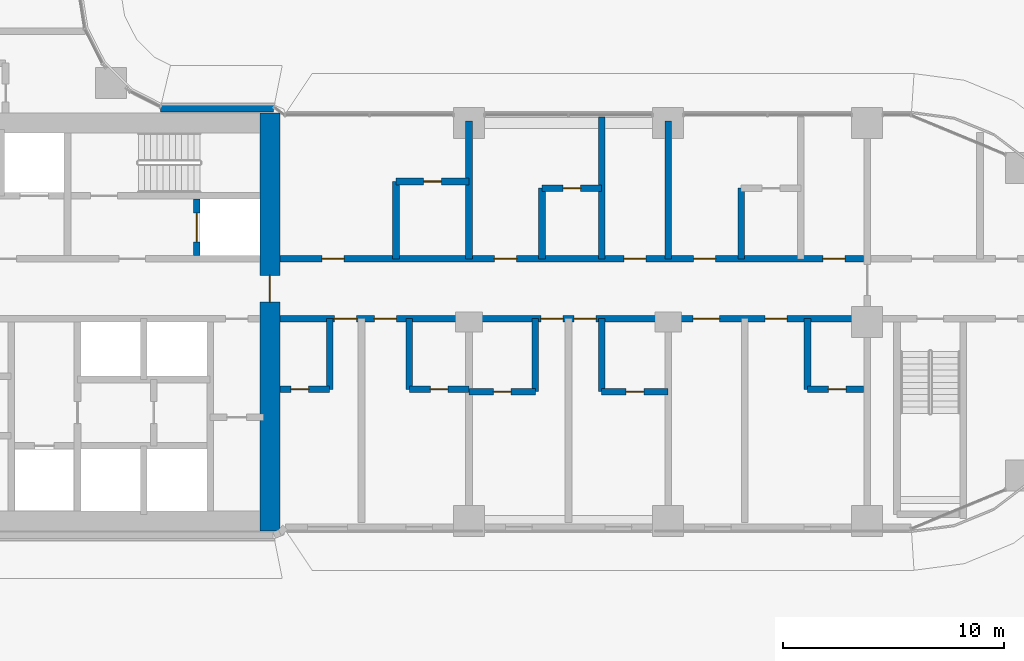
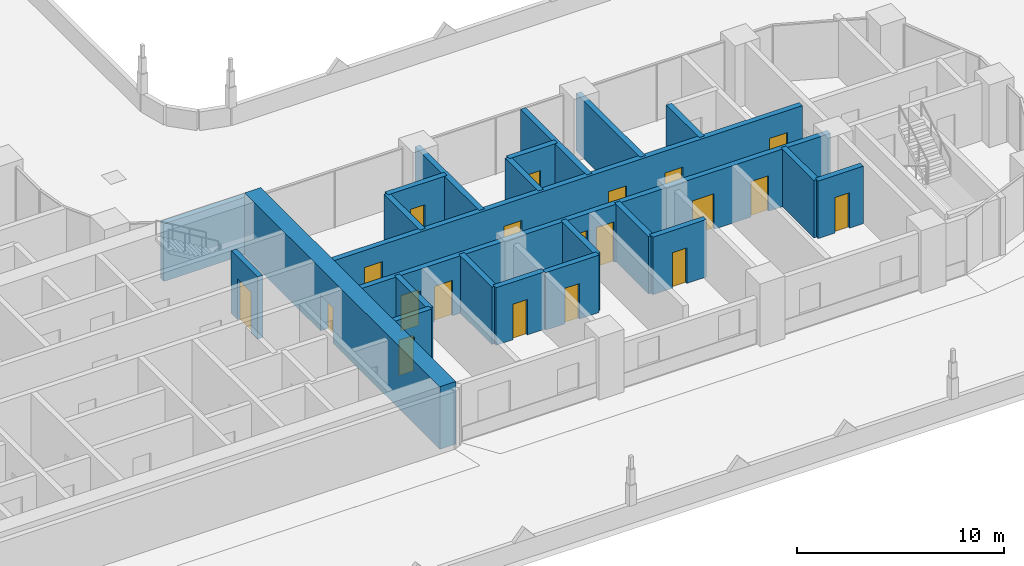
# One storey, part 24 of 51: 23 walls, 20 doors, 20 openings.
"""IFC4 building model written with IfcOpenShell, lengths in metres."""

from ifc_helpers import new_model, si_unit, direction, frame, frame_2d, origin, place, context, subcontext, project, spatial, rectangle, extrude, material, layer, layer_set, type_object, element, fill, save


model = new_model("IFC4")

# Units and contexts
model_context = context("Model", 3, precision=1e-05, world=origin(), true_north=direction((0.0, 1.0)))
body_context = subcontext(model_context, "Body", "Model", "MODEL_VIEW")
ifc_project = project(units=[si_unit("LENGTHUNIT", "METRE"), si_unit("AREAUNIT", "SQUARE_METRE"), si_unit("VOLUMEUNIT", "CUBIC_METRE"), si_unit("PLANEANGLEUNIT", "RADIAN"), si_unit("MASSUNIT", "GRAM", prefix="KILO")], contexts=[model_context])

# Site, building, storey
site_placement = place(None, origin())
site = spatial("IfcSite", under=ifc_project, at=site_placement, CompositionType="ELEMENT")
building_placement = place(site_placement, origin())
building = spatial("IfcBuilding", under=site, at=building_placement, Name="Ogive Portal Towers", CompositionType="ELEMENT")
storey_placement = place(building_placement, frame((0.0, 0.0, 33.5)))
storey = spatial("IfcBuildingStorey", under=building, at=storey_placement, Name="L06", CompositionType="ELEMENT", Elevation=33.5)

# Wall, opening, door
ifc_material_1 = material(Name="Concrete C60/75", Category="concrete")
ifc_layer_1 = layer(ifc_material_1, 0.300048828125)
ifc_layer_set_1 = layer_set([ifc_layer_1], Name="CORE WALL 300 C60")
wall_type_1 = type_object("IfcWallType", Name="CORE WALL 300 C60", PredefinedType="SHEAR", material=ifc_layer_set_1)
wall_1_placement = place(storey_placement, frame((55.199951171875, 33.5, 0.0), z_axis=(0.0, 0.0, 1.0), x_axis=(0.0, 1.0, 0.0)))
wall_1 = element("IfcWall", 1, at=wall_1_placement, inside=storey, type_object=wall_type_1, Name="Core wall X10 L06", PredefinedType="SHEAR", context=body_context, shape_type="SweptSolid", body=[
    extrude(rectangle(XDim=2.550048828125, YDim=0.300048828125, at=frame_2d((1.27490234375, 0.0))), origin(), (0.0, 0.0, 1.0), 3.699951171875),
])
opening_1_placement = place(wall_1_placement, frame((0.625, 0.0, 0.0)))
opening_1 = element("IfcOpeningElement", 2, at=opening_1_placement, cuts=wall_1, Name="Opening D01-020", PredefinedType="OPENING", context=body_context, shape_type="SweptSolid", body=[
    extrude(rectangle(XDim=1.300048828125, YDim=2.39990234375, at=frame_2d((0.64990234375, 1.199951171875))), frame((0.0, 0.16015625, 0.0), z_axis=(0.0, -1.0, 0.0), x_axis=(1.0, 0.0, 0.0)), (0.0, 0.0, 1.0), 0.320068359375),
])
ifc_material_2 = material(Name="Stainless steel", Category="steel")
door_type_1 = type_object("IfcDoorType", Name="DT-LD-1300x2400", OperationType="SLIDING_TO_LEFT", PredefinedType="DOOR", material=ifc_material_2)
door_1_placement = place(opening_1_placement, origin())
door_1 = element("IfcDoor", 3, at=door_1_placement, inside=storey, type_object=door_type_1, Name="Door D01-020", OperationType="SLIDING_TO_LEFT", OverallHeight=2.39990234375, OverallWidth=1.300048828125, PredefinedType="DOOR", context=body_context, shape_type="SweptSolid", body=[
    extrude(rectangle(XDim=1.300048828125, YDim=2.39990234375, at=frame_2d((0.64990234375, 1.199951171875))), frame((0.0, 0.02490234375, 0.0), z_axis=(0.0, -1.0, 0.0), x_axis=(1.0, 0.0, 0.0)), (0.0, 0.0, 1.0), 0.050048828125),
])
fill(opening_1, door_1)

ifc_layer_2 = layer(ifc_material_1, 0.89990234375)
ifc_layer_set_2 = layer_set([ifc_layer_2], Name="CORE WALL 900 C60")
wall_type_2 = type_object("IfcWallType", Name="CORE WALL 900 C60", PredefinedType="SHEAR", material=ifc_layer_set_2)
wall_2_placement = place(storey_placement, frame((58.5, 21.050048828125, 0.0), z_axis=(0.0, 0.0, 1.0), x_axis=(0.0, 1.0, 0.0)))
wall_2 = element("IfcWall", 4, at=wall_2_placement, inside=storey, type_object=wall_type_2, Name="Core wall E L06", PredefinedType="SHEAR", context=body_context, shape_type="SweptSolid", body=[
    extrude(rectangle(XDim=18.89990234375, YDim=0.89990234375, at=frame_2d((9.449951171875, 0.0))), origin(), (0.0, 0.0, 1.0), 3.699951171875),
])
opening_2_placement = place(wall_2_placement, frame((10.35009765625, 0.0, 0.0)))
opening_2 = element("IfcOpeningElement", 5, at=opening_2_placement, cuts=wall_2, Name="Opening D01-011", PredefinedType="OPENING", context=body_context, shape_type="SweptSolid", body=[
    extrude(rectangle(XDim=1.199951171875, YDim=2.10009765625, at=frame_2d((0.60009765625, 1.050048828125))), frame((0.0, 0.4599609375, 0.0), z_axis=(0.0, -1.0, 0.0), x_axis=(1.0, 0.0, 0.0)), (0.0, 0.0, 1.0), 0.919921875),
])
ifc_material_3 = material(Name="Steel fire door", Category="steel")
door_type_2 = type_object("IfcDoorType", Name="DT-SWING-1200x2100-FD90S", OperationType="SINGLE_SWING_LEFT", PredefinedType="DOOR", material=ifc_material_3)
door_2_placement = place(opening_2_placement, origin())
door_2 = element("IfcDoor", 6, at=door_2_placement, inside=storey, type_object=door_type_2, Name="Door D01-011", OperationType="SINGLE_SWING_LEFT", OverallHeight=2.10009765625, OverallWidth=1.199951171875, PredefinedType="DOOR", context=body_context, shape_type="SweptSolid", body=[
    extrude(rectangle(XDim=1.199951171875, YDim=2.10009765625, at=frame_2d((0.60009765625, 1.050048828125))), frame((0.0, 0.02490234375, 0.0), z_axis=(0.0, -1.0, 0.0), x_axis=(1.0, 0.0, 0.0)), (0.0, 0.0, 1.0), 0.050048828125),
])
fill(opening_2, door_2)

# Wall
ifc_material_4 = material(Name="Limestone cladding on lightweight block wall", Category="masonry")
ifc_layer_3 = layer(ifc_material_4, 0.300048828125)
ifc_layer_set_3 = layer_set([ifc_layer_3], Name="EXTERNAL WALL 300 STONE")
wall_type_3 = type_object("IfcWallType", Name="EXTERNAL WALL 300 STONE", PredefinedType="SOLIDWALL", material=ifc_layer_set_3)
wall_3_placement = place(storey_placement, frame((58.673583984375, 40.14990234375, 0.0), z_axis=(0.0, 0.0, 1.0), x_axis=(-1.0, 0.0, 0.0)))
element("IfcWall", 7, at=wall_3_placement, inside=storey, type_object=wall_type_3, Name="A:L06:f01:r0:wall", PredefinedType="SOLIDWALL", context=body_context, shape_type="SweptSolid", body=[
    extrude(rectangle(XDim=5.115966796875, YDim=0.300048828125, at=frame_2d((2.55810546875, 0.0))), origin(), (0.0, 0.0, 1.0), 3.39990234375),
])

# Wall, openings, doors
ifc_material_5 = material(Name="Gypsum board partition on steel studs", Category="steel")
ifc_layer_4 = layer(ifc_material_5, 0.300048828125)
ifc_layer_set_4 = layer_set([ifc_layer_4], Name="WT-PART-300-EI 120")
wall_type_4 = type_object("IfcWallType", Name="WT-PART-300-EI 120", PredefinedType="PARTITIONING", material=ifc_layer_set_4)
wall_4_placement = place(storey_placement, frame((58.949951171875, 30.64990234375, 0.0), z_axis=(0.0, 0.0, 1.0), x_axis=(1.0, 0.0, 0.0)))
wall_4 = element("IfcWall", 8, at=wall_4_placement, inside=storey, type_object=wall_type_4, Name="Wall L06:w007", PredefinedType="PARTITIONING", context=body_context, shape_type="SweptSolid", body=[
    extrude(rectangle(XDim=26.380126953125, YDim=0.300048828125, at=frame_2d((13.18994140625, 0.0))), origin(), (0.0, 0.0, 1.0), 3.39990234375),
])
opening_3_placement = place(wall_4_placement, frame((2.469970703125, 0.0, 0.0)))
opening_3 = element("IfcOpeningElement", 9, at=opening_3_placement, cuts=wall_4, Name="Opening D01-030", PredefinedType="OPENING", context=body_context, shape_type="SweptSolid", body=[
    extrude(rectangle(XDim=1.0, YDim=2.10009765625, at=frame_2d((0.5, 1.050048828125))), frame((0.0, 0.16015625, 0.0), z_axis=(0.0, -1.0, 0.0), x_axis=(1.0, 0.0, 0.0)), (0.0, 0.0, 1.0), 0.320068359375),
])
opening_4_placement = place(wall_4_placement, frame((4.27001953125, 0.0, 0.0)))
opening_4 = element("IfcOpeningElement", 10, at=opening_4_placement, cuts=wall_4, Name="Opening D01-032", PredefinedType="OPENING", context=body_context, shape_type="SweptSolid", body=[
    extrude(rectangle(XDim=1.0, YDim=2.10009765625, at=frame_2d((0.5, 1.050048828125))), frame((0.0, 0.16015625, 0.0), z_axis=(0.0, -1.0, 0.0), x_axis=(1.0, 0.0, 0.0)), (0.0, 0.0, 1.0), 0.320068359375),
])
opening_5_placement = place(wall_4_placement, frame((11.800048828125, 0.0, 0.0)))
opening_5 = element("IfcOpeningElement", 11, at=opening_5_placement, cuts=wall_4, Name="Opening D01-037", PredefinedType="OPENING", context=body_context, shape_type="SweptSolid", body=[
    extrude(rectangle(XDim=1.0, YDim=2.39990234375, at=frame_2d((0.5, 1.199951171875))), frame((0.0, 0.16015625, 0.0), z_axis=(0.0, -1.0, 0.0), x_axis=(1.0, 0.0, 0.0)), (0.0, 0.0, 1.0), 0.320068359375),
])
opening_6_placement = place(wall_4_placement, frame((13.300048828125, 0.0, 0.0)))
opening_6 = element("IfcOpeningElement", 12, at=opening_6_placement, cuts=wall_4, Name="Opening D01-039", PredefinedType="OPENING", context=body_context, shape_type="SweptSolid", body=[
    extrude(rectangle(XDim=1.0, YDim=2.39990234375, at=frame_2d((0.5, 1.199951171875))), frame((0.0, 0.16015625, 0.0), z_axis=(0.0, -1.0, 0.0), x_axis=(1.0, 0.0, 0.0)), (0.0, 0.0, 1.0), 0.320068359375),
])
opening_7_placement = place(wall_4_placement, frame((18.68505859375, 0.0, 0.0)))
opening_7 = element("IfcOpeningElement", 13, at=opening_7_placement, cuts=wall_4, Name="Opening D01-043", PredefinedType="OPENING", context=body_context, shape_type="SweptSolid", body=[
    extrude(rectangle(XDim=1.199951171875, YDim=2.10009765625, at=frame_2d((0.60009765625, 1.050048828125))), frame((0.0, 0.16015625, 0.0), z_axis=(0.0, -1.0, 0.0), x_axis=(1.0, 0.0, 0.0)), (0.0, 0.0, 1.0), 0.320068359375),
])
opening_8_placement = place(wall_4_placement, frame((21.93505859375, 0.0, 0.0)))
opening_8 = element("IfcOpeningElement", 14, at=opening_8_placement, cuts=wall_4, Name="Opening D01-045", PredefinedType="OPENING", context=body_context, shape_type="SweptSolid", body=[
    extrude(rectangle(XDim=1.0, YDim=2.10009765625, at=frame_2d((0.5, 1.050048828125))), frame((0.0, 0.16015625, 0.0), z_axis=(0.0, -1.0, 0.0), x_axis=(1.0, 0.0, 0.0)), (0.0, 0.0, 1.0), 0.320068359375),
])
door_type_3 = type_object("IfcDoorType", Name="DT-ENTRY-1000x2100-FD90S", OperationType="SINGLE_SWING_LEFT", PredefinedType="DOOR", material=ifc_material_3)
door_3_placement = place(opening_3_placement, origin())
door_3 = element("IfcDoor", 15, at=door_3_placement, inside=storey, type_object=door_type_3, Name="Door D01-030", OperationType="SINGLE_SWING_RIGHT", OverallHeight=2.10009765625, OverallWidth=1.0, PredefinedType="DOOR", context=body_context, shape_type="SweptSolid", body=[
    extrude(rectangle(XDim=1.0, YDim=2.10009765625, at=frame_2d((0.5, 1.050048828125))), frame((0.0, 0.02490234375, 0.0), z_axis=(0.0, -1.0, 0.0), x_axis=(1.0, 0.0, 0.0)), (0.0, 0.0, 1.0), 0.050048828125),
])
fill(opening_3, door_3)
door_4_placement = place(opening_4_placement, origin())
door_4 = element("IfcDoor", 16, at=door_4_placement, inside=storey, type_object=door_type_3, Name="Door D01-032", OperationType="SINGLE_SWING_LEFT", OverallHeight=2.10009765625, OverallWidth=1.0, PredefinedType="DOOR", context=body_context, shape_type="SweptSolid", body=[
    extrude(rectangle(XDim=1.0, YDim=2.10009765625, at=frame_2d((0.5, 1.050048828125))), frame((0.0, 0.02490234375, 0.0), z_axis=(0.0, -1.0, 0.0), x_axis=(1.0, 0.0, 0.0)), (0.0, 0.0, 1.0), 0.050048828125),
])
fill(opening_4, door_4)
door_5_placement = place(opening_8_placement, origin())
door_5 = element("IfcDoor", 17, at=door_5_placement, inside=storey, type_object=door_type_3, Name="Door D01-045", OperationType="SINGLE_SWING_RIGHT", OverallHeight=2.10009765625, OverallWidth=1.0, PredefinedType="DOOR", context=body_context, shape_type="SweptSolid", body=[
    extrude(rectangle(XDim=1.0, YDim=2.10009765625, at=frame_2d((0.5, 1.050048828125))), frame((0.0, 0.02490234375, 0.0), z_axis=(0.0, -1.0, 0.0), x_axis=(1.0, 0.0, 0.0)), (0.0, 0.0, 1.0), 0.050048828125),
])
fill(opening_8, door_5)
door_type_4 = type_object("IfcDoorType", Name="DT-ENTRY-1000x2400-FD90S", OperationType="SINGLE_SWING_LEFT", PredefinedType="DOOR", material=ifc_material_3)
door_6_placement = place(opening_5_placement, origin())
door_6 = element("IfcDoor", 18, at=door_6_placement, inside=storey, type_object=door_type_4, Name="Door D01-037", OperationType="SINGLE_SWING_LEFT", OverallHeight=2.39990234375, OverallWidth=1.0, PredefinedType="DOOR", context=body_context, shape_type="SweptSolid", body=[
    extrude(rectangle(XDim=1.0, YDim=2.39990234375, at=frame_2d((0.5, 1.199951171875))), frame((0.0, 0.02490234375, 0.0), z_axis=(0.0, -1.0, 0.0), x_axis=(1.0, 0.0, 0.0)), (0.0, 0.0, 1.0), 0.050048828125),
])
fill(opening_5, door_6)
door_7_placement = place(opening_6_placement, origin())
door_7 = element("IfcDoor", 19, at=door_7_placement, inside=storey, type_object=door_type_4, Name="Door D01-039", OperationType="SINGLE_SWING_RIGHT", OverallHeight=2.39990234375, OverallWidth=1.0, PredefinedType="DOOR", context=body_context, shape_type="SweptSolid", body=[
    extrude(rectangle(XDim=1.0, YDim=2.39990234375, at=frame_2d((0.5, 1.199951171875))), frame((0.0, 0.02490234375, 0.0), z_axis=(0.0, -1.0, 0.0), x_axis=(1.0, 0.0, 0.0)), (0.0, 0.0, 1.0), 0.050048828125),
])
fill(opening_6, door_7)
door_type_5 = type_object("IfcDoorType", Name="DT-ENTRY-1200x2100-FD90S", OperationType="SINGLE_SWING_LEFT", PredefinedType="DOOR", material=ifc_material_3)
door_8_placement = place(opening_7_placement, origin())
door_8 = element("IfcDoor", 20, at=door_8_placement, inside=storey, type_object=door_type_5, Name="Door D01-043", OperationType="SINGLE_SWING_LEFT", OverallHeight=2.10009765625, OverallWidth=1.199951171875, PredefinedType="DOOR", context=body_context, shape_type="SweptSolid", body=[
    extrude(rectangle(XDim=1.199951171875, YDim=2.10009765625, at=frame_2d((0.60009765625, 1.050048828125))), frame((0.0, 0.02490234375, 0.0), z_axis=(0.0, -1.0, 0.0), x_axis=(1.0, 0.0, 0.0)), (0.0, 0.0, 1.0), 0.050048828125),
])
fill(opening_7, door_8)

wall_5_placement = place(storey_placement, frame((58.949951171875, 33.35009765625, 0.0), z_axis=(0.0, 0.0, 1.0), x_axis=(1.0, 0.0, 0.0)))
wall_5 = element("IfcWall", 21, at=wall_5_placement, inside=storey, type_object=wall_type_4, Name="Wall L06:w009", PredefinedType="PARTITIONING", context=body_context, shape_type="SweptSolid", body=[
    extrude(rectangle(XDim=26.380126953125, YDim=0.300048828125, at=frame_2d((13.18994140625, 0.0))), origin(), (0.0, 0.0, 1.0), 3.39990234375),
])
opening_9_placement = place(wall_5_placement, frame((1.89990234375, 0.0, 0.0)))
opening_9 = element("IfcOpeningElement", 22, at=opening_9_placement, cuts=wall_5, Name="Opening D01-028", PredefinedType="OPENING", context=body_context, shape_type="SweptSolid", body=[
    extrude(rectangle(XDim=1.0, YDim=2.39990234375, at=frame_2d((0.5, 1.199951171875))), frame((0.0, 0.16015625, 0.0), z_axis=(0.0, -1.0, 0.0), x_axis=(1.0, 0.0, 0.0)), (0.0, 0.0, 1.0), 0.320068359375),
])
opening_10_placement = place(wall_5_placement, frame((9.699951171875, 0.0, 0.0)))
opening_10 = element("IfcOpeningElement", 23, at=opening_10_placement, cuts=wall_5, Name="Opening D01-034", PredefinedType="OPENING", context=body_context, shape_type="SweptSolid", body=[
    extrude(rectangle(XDim=1.0, YDim=2.10009765625, at=frame_2d((0.5, 1.050048828125))), frame((0.0, 0.16015625, 0.0), z_axis=(0.0, -1.0, 0.0), x_axis=(1.0, 0.0, 0.0)), (0.0, 0.0, 1.0), 0.320068359375),
])
opening_11_placement = place(wall_5_placement, frame((15.550048828125, 0.0, 0.0)))
opening_11 = element("IfcOpeningElement", 24, at=opening_11_placement, cuts=wall_5, Name="Opening D01-035", PredefinedType="OPENING", context=body_context, shape_type="SweptSolid", body=[
    extrude(rectangle(XDim=1.0, YDim=2.10009765625, at=frame_2d((0.5, 1.050048828125))), frame((0.0, 0.16015625, 0.0), z_axis=(0.0, -1.0, 0.0), x_axis=(1.0, 0.0, 0.0)), (0.0, 0.0, 1.0), 0.320068359375),
])
opening_12_placement = place(wall_5_placement, frame((18.699951171875, 0.0, 0.0)))
opening_12 = element("IfcOpeningElement", 25, at=opening_12_placement, cuts=wall_5, Name="Opening D01-041", PredefinedType="OPENING", context=body_context, shape_type="SweptSolid", body=[
    extrude(rectangle(XDim=1.0, YDim=2.10009765625, at=frame_2d((0.5, 1.050048828125))), frame((0.0, 0.16015625, 0.0), z_axis=(0.0, -1.0, 0.0), x_axis=(1.0, 0.0, 0.0)), (0.0, 0.0, 1.0), 0.320068359375),
])
opening_13_placement = place(wall_5_placement, frame((24.550048828125, 0.0, 0.0)))
opening_13 = element("IfcOpeningElement", 26, at=opening_13_placement, cuts=wall_5, Name="Opening D01-042", PredefinedType="OPENING", context=body_context, shape_type="SweptSolid", body=[
    extrude(rectangle(XDim=1.0, YDim=2.10009765625, at=frame_2d((0.5, 1.050048828125))), frame((0.0, 0.16015625, 0.0), z_axis=(0.0, -1.0, 0.0), x_axis=(1.0, 0.0, 0.0)), (0.0, 0.0, 1.0), 0.320068359375),
])
door_9_placement = place(opening_10_placement, origin())
door_9 = element("IfcDoor", 27, at=door_9_placement, inside=storey, type_object=door_type_3, Name="Door D01-034", OperationType="SINGLE_SWING_LEFT", OverallHeight=2.10009765625, OverallWidth=1.0, PredefinedType="DOOR", context=body_context, shape_type="SweptSolid", body=[
    extrude(rectangle(XDim=1.0, YDim=2.10009765625, at=frame_2d((0.5, 1.050048828125))), frame((0.0, 0.02490234375, 0.0), z_axis=(0.0, -1.0, 0.0), x_axis=(1.0, 0.0, 0.0)), (0.0, 0.0, 1.0), 0.050048828125),
])
fill(opening_10, door_9)
door_10_placement = place(opening_11_placement, origin())
door_10 = element("IfcDoor", 28, at=door_10_placement, inside=storey, type_object=door_type_3, Name="Door D01-035", OperationType="SINGLE_SWING_RIGHT", OverallHeight=2.10009765625, OverallWidth=1.0, PredefinedType="DOOR", context=body_context, shape_type="SweptSolid", body=[
    extrude(rectangle(XDim=1.0, YDim=2.10009765625, at=frame_2d((0.5, 1.050048828125))), frame((0.0, 0.02490234375, 0.0), z_axis=(0.0, -1.0, 0.0), x_axis=(1.0, 0.0, 0.0)), (0.0, 0.0, 1.0), 0.050048828125),
])
fill(opening_11, door_10)
door_11_placement = place(opening_12_placement, origin())
door_11 = element("IfcDoor", 29, at=door_11_placement, inside=storey, type_object=door_type_3, Name="Door D01-041", OperationType="SINGLE_SWING_LEFT", OverallHeight=2.10009765625, OverallWidth=1.0, PredefinedType="DOOR", context=body_context, shape_type="SweptSolid", body=[
    extrude(rectangle(XDim=1.0, YDim=2.10009765625, at=frame_2d((0.5, 1.050048828125))), frame((0.0, 0.02490234375, 0.0), z_axis=(0.0, -1.0, 0.0), x_axis=(1.0, 0.0, 0.0)), (0.0, 0.0, 1.0), 0.050048828125),
])
fill(opening_12, door_11)
door_12_placement = place(opening_13_placement, origin())
door_12 = element("IfcDoor", 30, at=door_12_placement, inside=storey, type_object=door_type_3, Name="Door D01-042", OperationType="SINGLE_SWING_LEFT", OverallHeight=2.10009765625, OverallWidth=1.0, PredefinedType="DOOR", context=body_context, shape_type="SweptSolid", body=[
    extrude(rectangle(XDim=1.0, YDim=2.10009765625, at=frame_2d((0.5, 1.050048828125))), frame((0.0, 0.02490234375, 0.0), z_axis=(0.0, -1.0, 0.0), x_axis=(1.0, 0.0, 0.0)), (0.0, 0.0, 1.0), 0.050048828125),
])
fill(opening_13, door_12)
door_13_placement = place(opening_9_placement, origin())
door_13 = element("IfcDoor", 31, at=door_13_placement, inside=storey, type_object=door_type_4, Name="Door D01-028", OperationType="SINGLE_SWING_LEFT", OverallHeight=2.39990234375, OverallWidth=1.0, PredefinedType="DOOR", context=body_context, shape_type="SweptSolid", body=[
    extrude(rectangle(XDim=1.0, YDim=2.39990234375, at=frame_2d((0.5, 1.199951171875))), frame((0.0, 0.02490234375, 0.0), z_axis=(0.0, -1.0, 0.0), x_axis=(1.0, 0.0, 0.0)), (0.0, 0.0, 1.0), 0.050048828125),
])
fill(opening_9, door_13)

# Wall, opening, door
ifc_layer_5 = layer(ifc_material_5, 0.300048828125)
ifc_layer_set_5 = layer_set([ifc_layer_5], Name="WT-PART-300-EI 60")
wall_type_5 = type_object("IfcWallType", Name="WT-PART-300-EI 60", PredefinedType="PARTITIONING", material=ifc_layer_set_5)
wall_6_placement = place(storey_placement, frame((67.5, 27.35009765625, 0.0), z_axis=(0.0, 0.0, 1.0), x_axis=(1.0, 0.0, 0.0)))
wall_6 = element("IfcWall", 32, at=wall_6_placement, inside=storey, type_object=wall_type_5, Name="Wall L06:w002", PredefinedType="PARTITIONING", context=body_context, shape_type="SweptSolid", body=[
    extrude(rectangle(XDim=3.0, YDim=0.300048828125, at=frame_2d((1.5, 0.0))), origin(), (0.0, 0.0, 1.0), 3.39990234375),
])
opening_14_placement = place(wall_6_placement, frame((1.10009765625, 0.0, 0.0)))
opening_14 = element("IfcOpeningElement", 33, at=opening_14_placement, cuts=wall_6, Name="Opening D01-036", PredefinedType="OPENING", context=body_context, shape_type="SweptSolid", body=[
    extrude(rectangle(XDim=0.800048828125, YDim=2.10009765625, at=frame_2d((0.39990234375, 1.050048828125))), frame((0.0, 0.16015625, 0.0), z_axis=(0.0, -1.0, 0.0), x_axis=(1.0, 0.0, 0.0)), (0.0, 0.0, 1.0), 0.320068359375),
])
door_type_6 = type_object("IfcDoorType", Name="DT-BATH-800x2100-FD60S", OperationType="SINGLE_SWING_LEFT", PredefinedType="DOOR", material=ifc_material_3)
door_14_placement = place(opening_14_placement, origin())
door_14 = element("IfcDoor", 34, at=door_14_placement, inside=storey, type_object=door_type_6, Name="Door D01-036", OperationType="SINGLE_SWING_LEFT", OverallHeight=2.10009765625, OverallWidth=0.800048828125, PredefinedType="DOOR", context=body_context, shape_type="SweptSolid", body=[
    extrude(rectangle(XDim=0.800048828125, YDim=2.10009765625, at=frame_2d((0.39990234375, 1.050048828125))), frame((0.0, 0.02490234375, 0.0), z_axis=(0.0, -1.0, 0.0), x_axis=(1.0, 0.0, 0.0)), (0.0, 0.0, 1.0), 0.050048828125),
])
fill(opening_14, door_14)

wall_7_placement = place(storey_placement, frame((73.5, 27.35009765625, 0.0), z_axis=(0.0, 0.0, 1.0), x_axis=(1.0, 0.0, 0.0)))
wall_7 = element("IfcWall", 35, at=wall_7_placement, inside=storey, type_object=wall_type_5, Name="Wall L06:w003", PredefinedType="PARTITIONING", context=body_context, shape_type="SweptSolid", body=[
    extrude(rectangle(XDim=3.0, YDim=0.300048828125, at=frame_2d((1.5, 0.0))), origin(), (0.0, 0.0, 1.0), 3.39990234375),
])
opening_15_placement = place(wall_7_placement, frame((1.10009765625, 0.0, 0.0)))
opening_15 = element("IfcOpeningElement", 36, at=opening_15_placement, cuts=wall_7, Name="Opening D01-038", PredefinedType="OPENING", context=body_context, shape_type="SweptSolid", body=[
    extrude(rectangle(XDim=0.800048828125, YDim=2.10009765625, at=frame_2d((0.39990234375, 1.050048828125))), frame((0.0, 0.16015625, 0.0), z_axis=(0.0, -1.0, 0.0), x_axis=(1.0, 0.0, 0.0)), (0.0, 0.0, 1.0), 0.320068359375),
])
door_15_placement = place(opening_15_placement, origin())
door_15 = element("IfcDoor", 37, at=door_15_placement, inside=storey, type_object=door_type_6, Name="Door D01-038", OperationType="SINGLE_SWING_LEFT", OverallHeight=2.10009765625, OverallWidth=0.800048828125, PredefinedType="DOOR", context=body_context, shape_type="SweptSolid", body=[
    extrude(rectangle(XDim=0.800048828125, YDim=2.10009765625, at=frame_2d((0.39990234375, 1.050048828125))), frame((0.0, 0.02490234375, 0.0), z_axis=(0.0, -1.0, 0.0), x_axis=(1.0, 0.0, 0.0)), (0.0, 0.0, 1.0), 0.050048828125),
])
fill(opening_15, door_15)

wall_8_placement = place(storey_placement, frame((58.949951171875, 27.449951171875, 0.0), z_axis=(0.0, 0.0, 1.0), x_axis=(1.0, 0.0, 0.0)))
wall_8 = element("IfcWall", 38, at=wall_8_placement, inside=storey, type_object=wall_type_5, Name="Wall L06:w004", PredefinedType="PARTITIONING", context=body_context, shape_type="SweptSolid", body=[
    extrude(rectangle(XDim=2.25, YDim=0.300048828125, at=frame_2d((1.125, 0.0))), origin(), (0.0, 0.0, 1.0), 3.39990234375),
])
opening_16_placement = place(wall_8_placement, frame((0.5, 0.0, 0.0)))
opening_16 = element("IfcOpeningElement", 39, at=opening_16_placement, cuts=wall_8, Name="Opening D01-029", PredefinedType="OPENING", context=body_context, shape_type="SweptSolid", body=[
    extrude(rectangle(XDim=0.800048828125, YDim=2.10009765625, at=frame_2d((0.39990234375, 1.050048828125))), frame((0.0, 0.16015625, 0.0), z_axis=(0.0, -1.0, 0.0), x_axis=(1.0, 0.0, 0.0)), (0.0, 0.0, 1.0), 0.320068359375),
])
door_16_placement = place(opening_16_placement, origin())
door_16 = element("IfcDoor", 40, at=door_16_placement, inside=storey, type_object=door_type_6, Name="Door D01-029", OperationType="SINGLE_SWING_LEFT", OverallHeight=2.10009765625, OverallWidth=0.800048828125, PredefinedType="DOOR", context=body_context, shape_type="SweptSolid", body=[
    extrude(rectangle(XDim=0.800048828125, YDim=2.10009765625, at=frame_2d((0.39990234375, 1.050048828125))), frame((0.0, 0.02490234375, 0.0), z_axis=(0.0, -1.0, 0.0), x_axis=(1.0, 0.0, 0.0)), (0.0, 0.0, 1.0), 0.050048828125),
])
fill(opening_16, door_16)

wall_9_placement = place(storey_placement, frame((64.800048828125, 27.449951171875, 0.0), z_axis=(0.0, 0.0, 1.0), x_axis=(1.0, 0.0, 0.0)))
wall_9 = element("IfcWall", 41, at=wall_9_placement, inside=storey, type_object=wall_type_5, Name="Wall L06:w005", PredefinedType="PARTITIONING", context=body_context, shape_type="SweptSolid", body=[
    extrude(rectangle(XDim=2.699951171875, YDim=0.300048828125, at=frame_2d((1.35009765625, 0.0))), origin(), (0.0, 0.0, 1.0), 3.39990234375),
])
opening_17_placement = place(wall_9_placement, frame((0.949951171875, 0.0, 0.0)))
opening_17 = element("IfcOpeningElement", 42, at=opening_17_placement, cuts=wall_9, Name="Opening D01-031", PredefinedType="OPENING", context=body_context, shape_type="SweptSolid", body=[
    extrude(rectangle(XDim=0.800048828125, YDim=2.10009765625, at=frame_2d((0.39990234375, 1.050048828125))), frame((0.0, 0.16015625, 0.0), z_axis=(0.0, -1.0, 0.0), x_axis=(1.0, 0.0, 0.0)), (0.0, 0.0, 1.0), 0.320068359375),
])
door_17_placement = place(opening_17_placement, origin())
door_17 = element("IfcDoor", 43, at=door_17_placement, inside=storey, type_object=door_type_6, Name="Door D01-031", OperationType="SINGLE_SWING_RIGHT", OverallHeight=2.10009765625, OverallWidth=0.800048828125, PredefinedType="DOOR", context=body_context, shape_type="SweptSolid", body=[
    extrude(rectangle(XDim=0.800048828125, YDim=2.10009765625, at=frame_2d((0.39990234375, 1.050048828125))), frame((0.0, 0.02490234375, 0.0), z_axis=(0.0, -1.0, 0.0), x_axis=(1.0, 0.0, 0.0)), (0.0, 0.0, 1.0), 0.050048828125),
])
fill(opening_17, door_17)

wall_10_placement = place(storey_placement, frame((82.800048828125, 27.449951171875, 0.0), z_axis=(0.0, 0.0, 1.0), x_axis=(1.0, 0.0, 0.0)))
wall_10 = element("IfcWall", 44, at=wall_10_placement, inside=storey, type_object=wall_type_5, Name="Wall L06:w006", PredefinedType="PARTITIONING", context=body_context, shape_type="SweptSolid", body=[
    extrude(rectangle(XDim=2.530029296875, YDim=0.300048828125, at=frame_2d((1.26513671875, 0.0))), origin(), (0.0, 0.0, 1.0), 3.39990234375),
])
opening_18_placement = place(wall_10_placement, frame((0.949951171875, 0.0, 0.0)))
opening_18 = element("IfcOpeningElement", 45, at=opening_18_placement, cuts=wall_10, Name="Opening D01-044", PredefinedType="OPENING", context=body_context, shape_type="SweptSolid", body=[
    extrude(rectangle(XDim=0.800048828125, YDim=2.10009765625, at=frame_2d((0.39990234375, 1.050048828125))), frame((0.0, 0.16015625, 0.0), z_axis=(0.0, -1.0, 0.0), x_axis=(1.0, 0.0, 0.0)), (0.0, 0.0, 1.0), 0.320068359375),
])
door_18_placement = place(opening_18_placement, origin())
door_18 = element("IfcDoor", 46, at=door_18_placement, inside=storey, type_object=door_type_6, Name="Door D01-044", OperationType="SINGLE_SWING_LEFT", OverallHeight=2.10009765625, OverallWidth=0.800048828125, PredefinedType="DOOR", context=body_context, shape_type="SweptSolid", body=[
    extrude(rectangle(XDim=0.800048828125, YDim=2.10009765625, at=frame_2d((0.39990234375, 1.050048828125))), frame((0.0, 0.02490234375, 0.0), z_axis=(0.0, -1.0, 0.0), x_axis=(1.0, 0.0, 0.0)), (0.0, 0.0, 1.0), 0.050048828125),
])
fill(opening_18, door_18)

wall_11_placement = place(storey_placement, frame((70.800048828125, 36.550048828125, 0.0), z_axis=(0.0, 0.0, 1.0), x_axis=(1.0, 0.0, 0.0)))
wall_11 = element("IfcWall", 47, at=wall_11_placement, inside=storey, type_object=wall_type_5, Name="Wall L06:w011", PredefinedType="PARTITIONING", context=body_context, shape_type="SweptSolid", body=[
    extrude(rectangle(XDim=2.699951171875, YDim=0.300048828125, at=frame_2d((1.35009765625, 0.0))), origin(), (0.0, 0.0, 1.0), 3.39990234375),
])
opening_19_placement = place(wall_11_placement, frame((0.949951171875, 0.0, 0.0)))
opening_19 = element("IfcOpeningElement", 48, at=opening_19_placement, cuts=wall_11, Name="Opening D01-033", PredefinedType="OPENING", context=body_context, shape_type="SweptSolid", body=[
    extrude(rectangle(XDim=0.800048828125, YDim=2.10009765625, at=frame_2d((0.39990234375, 1.050048828125))), frame((0.0, 0.16015625, 0.0), z_axis=(0.0, -1.0, 0.0), x_axis=(1.0, 0.0, 0.0)), (0.0, 0.0, 1.0), 0.320068359375),
])
door_19_placement = place(opening_19_placement, origin())
door_19 = element("IfcDoor", 49, at=door_19_placement, inside=storey, type_object=door_type_6, Name="Door D01-033", OperationType="SINGLE_SWING_LEFT", OverallHeight=2.10009765625, OverallWidth=0.800048828125, PredefinedType="DOOR", context=body_context, shape_type="SweptSolid", body=[
    extrude(rectangle(XDim=0.800048828125, YDim=2.10009765625, at=frame_2d((0.39990234375, 1.050048828125))), frame((0.0, 0.02490234375, 0.0), z_axis=(0.0, -1.0, 0.0), x_axis=(1.0, 0.0, 0.0)), (0.0, 0.0, 1.0), 0.050048828125),
])
fill(opening_19, door_19)

wall_12_placement = place(storey_placement, frame((64.199951171875, 36.85009765625, 0.0), z_axis=(0.0, 0.0, 1.0), x_axis=(1.0, 0.0, 0.0)))
wall_12 = element("IfcWall", 50, at=wall_12_placement, inside=storey, type_object=wall_type_5, Name="Wall L06:w013", PredefinedType="PARTITIONING", context=body_context, shape_type="SweptSolid", body=[
    extrude(rectangle(XDim=3.300048828125, YDim=0.300048828125, at=frame_2d((1.64990234375, 0.0))), origin(), (0.0, 0.0, 1.0), 3.39990234375),
])
opening_20_placement = place(wall_12_placement, frame((1.25, 0.0, 0.0)))
opening_20 = element("IfcOpeningElement", 51, at=opening_20_placement, cuts=wall_12, Name="Opening D01-027", PredefinedType="OPENING", context=body_context, shape_type="SweptSolid", body=[
    extrude(rectangle(XDim=0.800048828125, YDim=2.10009765625, at=frame_2d((0.39990234375, 1.050048828125))), frame((0.0, 0.16015625, 0.0), z_axis=(0.0, -1.0, 0.0), x_axis=(1.0, 0.0, 0.0)), (0.0, 0.0, 1.0), 0.320068359375),
])
door_20_placement = place(opening_20_placement, origin())
door_20 = element("IfcDoor", 52, at=door_20_placement, inside=storey, type_object=door_type_6, Name="Door D01-027", OperationType="SINGLE_SWING_LEFT", OverallHeight=2.10009765625, OverallWidth=0.800048828125, PredefinedType="DOOR", context=body_context, shape_type="SweptSolid", body=[
    extrude(rectangle(XDim=0.800048828125, YDim=2.10009765625, at=frame_2d((0.39990234375, 1.050048828125))), frame((0.0, 0.02490234375, 0.0), z_axis=(0.0, -1.0, 0.0), x_axis=(1.0, 0.0, 0.0)), (0.0, 0.0, 1.0), 0.050048828125),
])
fill(opening_20, door_20)

# Walls
wall_13_placement = place(storey_placement, frame((61.199951171875, 27.449951171875, 0.0), z_axis=(0.0, 0.0, 1.0), x_axis=(0.0, 1.0, 0.0)))
element("IfcWall", 53, at=wall_13_placement, inside=storey, type_object=wall_type_5, Name="Wall L06:w048", PredefinedType="PARTITIONING", context=body_context, shape_type="SweptSolid", body=[
    extrude(rectangle(XDim=3.199951171875, YDim=0.300048828125, at=frame_2d((1.60009765625, 0.0))), origin(), (0.0, 0.0, 1.0), 3.39990234375),
])
wall_14_placement = place(storey_placement, frame((64.199951171875, 33.35009765625, 0.0), z_axis=(0.0, 0.0, 1.0), x_axis=(0.0, 1.0, 0.0)))
element("IfcWall", 54, at=wall_14_placement, inside=storey, type_object=wall_type_5, Name="Wall L06:w050", PredefinedType="PARTITIONING", context=body_context, shape_type="SweptSolid", body=[
    extrude(rectangle(XDim=3.5, YDim=0.300048828125, at=frame_2d((1.75, 0.0))), origin(), (0.0, 0.0, 1.0), 3.39990234375),
])
wall_15_placement = place(storey_placement, frame((64.800048828125, 27.449951171875, 0.0), z_axis=(0.0, 0.0, 1.0), x_axis=(0.0, 1.0, 0.0)))
element("IfcWall", 55, at=wall_15_placement, inside=storey, type_object=wall_type_5, Name="Wall L06:w051", PredefinedType="PARTITIONING", context=body_context, shape_type="SweptSolid", body=[
    extrude(rectangle(XDim=3.199951171875, YDim=0.300048828125, at=frame_2d((1.60009765625, 0.0))), origin(), (0.0, 0.0, 1.0), 3.39990234375),
])
wall_16_placement = place(storey_placement, frame((67.5, 33.35009765625, 0.0), z_axis=(0.0, 0.0, 1.0), x_axis=(0.0, 1.0, 0.0)))
element("IfcWall", 56, at=wall_16_placement, inside=storey, type_object=wall_type_5, Name="Wall L06:w053", PredefinedType="PARTITIONING", context=body_context, shape_type="SweptSolid", body=[
    extrude(rectangle(XDim=6.224853515625, YDim=0.300048828125, at=frame_2d((3.1123046875, 0.0))), origin(), (0.0, 0.0, 1.0), 3.39990234375),
])
wall_17_placement = place(storey_placement, frame((70.5, 27.35009765625, 0.0), z_axis=(0.0, 0.0, 1.0), x_axis=(0.0, 1.0, 0.0)))
element("IfcWall", 57, at=wall_17_placement, inside=storey, type_object=wall_type_5, Name="Wall L06:w054", PredefinedType="PARTITIONING", context=body_context, shape_type="SweptSolid", body=[
    extrude(rectangle(XDim=3.2998046875, YDim=0.300048828125, at=frame_2d((1.64990234375, 0.0))), origin(), (0.0, 0.0, 1.0), 3.39990234375),
])
wall_18_placement = place(storey_placement, frame((70.800048828125, 33.35009765625, 0.0), z_axis=(0.0, 0.0, 1.0), x_axis=(0.0, 1.0, 0.0)))
element("IfcWall", 58, at=wall_18_placement, inside=storey, type_object=wall_type_5, Name="Wall L06:w055", PredefinedType="PARTITIONING", context=body_context, shape_type="SweptSolid", body=[
    extrude(rectangle(XDim=3.199951171875, YDim=0.300048828125, at=frame_2d((1.60009765625, 0.0))), origin(), (0.0, 0.0, 1.0), 3.39990234375),
])
wall_19_placement = place(storey_placement, frame((73.5, 27.35009765625, 0.0), z_axis=(0.0, 0.0, 1.0), x_axis=(0.0, 1.0, 0.0)))
element("IfcWall", 59, at=wall_19_placement, inside=storey, type_object=wall_type_5, Name="Wall L06:w057", PredefinedType="PARTITIONING", context=body_context, shape_type="SweptSolid", body=[
    extrude(rectangle(XDim=3.2998046875, YDim=0.300048828125, at=frame_2d((1.64990234375, 0.0))), origin(), (0.0, 0.0, 1.0), 3.39990234375),
])
wall_20_placement = place(storey_placement, frame((73.5, 33.35009765625, 0.0), z_axis=(0.0, 0.0, 1.0), x_axis=(0.0, 1.0, 0.0)))
element("IfcWall", 60, at=wall_20_placement, inside=storey, type_object=wall_type_5, Name="Wall L06:w058", PredefinedType="PARTITIONING", context=body_context, shape_type="SweptSolid", body=[
    extrude(rectangle(XDim=6.40478515625, YDim=0.300048828125, at=frame_2d((3.202392578125, 0.0))), origin(), (0.0, 0.0, 1.0), 3.39990234375),
])
wall_21_placement = place(storey_placement, frame((76.5, 33.35009765625, 0.0), z_axis=(0.0, 0.0, 1.0), x_axis=(0.0, 1.0, 0.0)))
element("IfcWall", 61, at=wall_21_placement, inside=storey, type_object=wall_type_5, Name="Wall L06:w060", PredefinedType="PARTITIONING", context=body_context, shape_type="SweptSolid", body=[
    extrude(rectangle(XDim=6.224853515625, YDim=0.300048828125, at=frame_2d((3.1123046875, 0.0))), origin(), (0.0, 0.0, 1.0), 3.39990234375),
])
for number, where, z_axis, x_axis, name in (
    (62, (79.800048828125, 33.35009765625, 0.0), (0.0, 0.0, 1.0), (0.0, 1.0, 0.0), "Wall L06:w061"),
    (63, (82.800048828125, 27.449951171875, 0.0), (0.0, 0.0, 1.0), (0.0, 1.0, 0.0), "Wall L06:w064"),
):
    element("IfcWall", number, at=place(storey_placement, frame(where, z_axis=z_axis, x_axis=x_axis)), inside=storey, type_object=wall_type_5, Name=name, PredefinedType="PARTITIONING", context=body_context, shape_type="SweptSolid", body=[
        extrude(rectangle(XDim=3.199951171875, YDim=0.300048828125, at=frame_2d((1.60009765625, 0.0))), origin(), (0.0, 0.0, 1.0), 3.39990234375),
    ])

save(model, "model.ifc")
